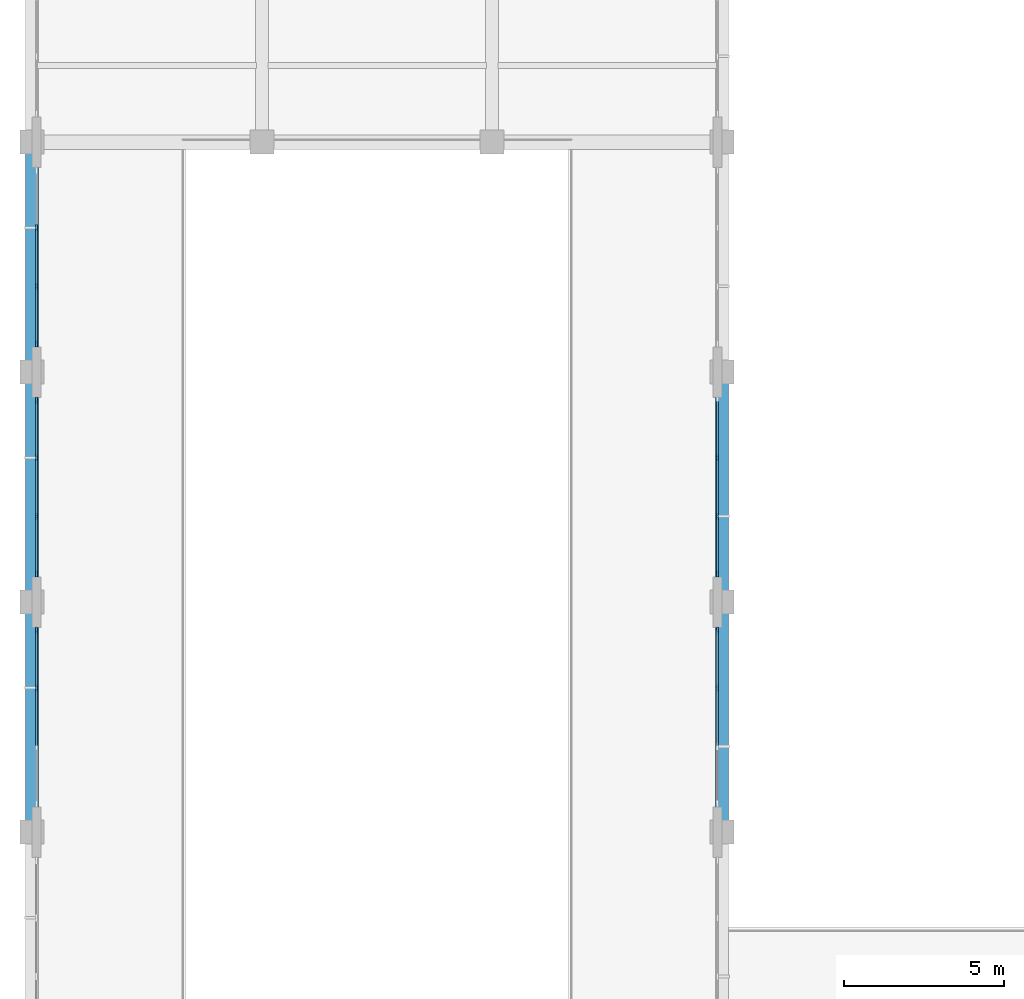
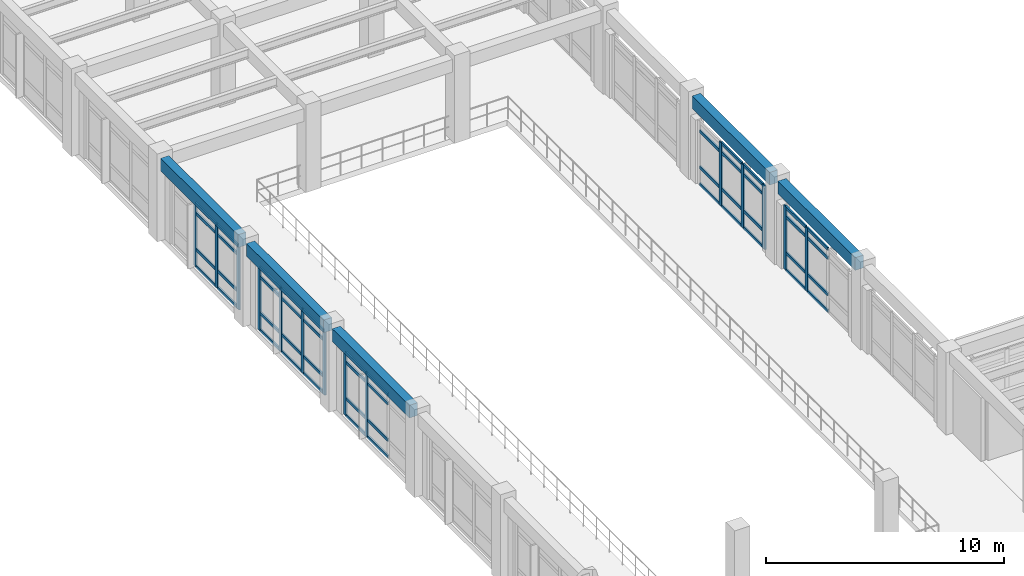
# One storey, part 9 of 64: 61 members, 5 beams, 5 elements without a shape of their own.
"""IFC4 building model written with IfcOpenShell, lengths in metres."""

from ifc_helpers import new_model, si_unit, direction, frame, origin, origin_2d, place, context, subcontext, project, spatial, rectangle, extrude, material, layer, layer_set, material_profile, profile_set, type_object, element, aggregate, save


model = new_model("IFC4")

# Units and contexts
model_context = context("Model", 3, precision=1e-05, world=origin(), true_north=direction((0.0, 1.0)))
body_context = subcontext(model_context, "Body", "Model", "MODEL_VIEW")
ifc_project = project(units=[si_unit("LENGTHUNIT", "METRE"), si_unit("AREAUNIT", "SQUARE_METRE"), si_unit("VOLUMEUNIT", "CUBIC_METRE"), si_unit("PLANEANGLEUNIT", "RADIAN"), si_unit("MASSUNIT", "GRAM", prefix="KILO")], contexts=[model_context])

# Site, building, storey
site_placement = place(None, origin())
site = spatial("IfcSite", under=ifc_project, at=site_placement, CompositionType="ELEMENT")
building_placement = place(site_placement, origin())
building = spatial("IfcBuilding", under=site, at=building_placement, Name="Solenvale Faculty of Natural Sciences", CompositionType="ELEMENT")
storey_placement = place(building_placement, frame((0.0, 0.0, 18.0)))
storey = spatial("IfcBuildingStorey", under=building, at=storey_placement, Name="L04", CompositionType="ELEMENT", Elevation=18.0)

# Beams
ifc_material_1 = material(Name="Concrete 40 MPa", Category="concrete")
ifc_material_profile_1 = material_profile(ifc_material_1, rectangle(XDim=0.39990234375, YDim=0.64990234375, at=origin_2d()), Name="RC-BM-400x650")
ifc_profile_set_1 = profile_set([ifc_material_profile_1], Name="Concrete 40 MPa")
beam_type = type_object("IfcBeamType", Name="BM-RC-400x650", PredefinedType="BEAM", material=ifc_profile_set_1)
beam_1_placement = place(storey_placement, frame((36.0, 43.554931640625, 3.89501953125), z_axis=(0.0, 1.0, 0.0), x_axis=(-1.0, 0.0, 0.0)))
element("IfcBeam", 1, at=beam_1_placement, inside=storey, type_object=beam_type, Name="L04 Y-Girder X36.0 (43.2..50.4)", PredefinedType="BEAM", context=body_context, shape_type="SweptSolid", body=[
    extrude(rectangle(XDim=0.39990234375, YDim=0.64990234375, at=origin_2d()), origin(), (0.0, 0.0, 1.0), 6.489990234375),
])
beam_2_placement = place(storey_placement, frame((36.0, 50.7548828125, 3.89501953125), z_axis=(0.0, 1.0, 0.0), x_axis=(-1.0, 0.0, 0.0)))
element("IfcBeam", 2, at=beam_2_placement, inside=storey, type_object=beam_type, Name="L04 Y-Girder X36.0 (50.4..57.6)", PredefinedType="BEAM", context=body_context, shape_type="SweptSolid", body=[
    extrude(rectangle(XDim=0.39990234375, YDim=0.64990234375, at=origin_2d()), origin(), (0.0, 0.0, 1.0), 6.490234375),
])
for number, where, z_axis, x_axis, name in (
    (3, (36.0, 57.955078125, 3.89501953125), (0.0, 1.0, 0.0), (-1.0, 0.0, 0.0), "L04 Y-Girder X36.0 (57.6..64.8)"),
    (4, (57.60009765625, 43.554931640625, 3.89501953125), (0.0, 1.0, 0.0), (-1.0, 0.0, 0.0), "L04 Y-Girder X57.6 (43.2..50.4)"),
):
    element("IfcBeam", number, at=place(storey_placement, frame(where, z_axis=z_axis, x_axis=x_axis)), inside=storey, type_object=beam_type, Name=name, PredefinedType="BEAM", context=body_context, shape_type="SweptSolid", body=[
        extrude(rectangle(XDim=0.39990234375, YDim=0.64990234375, at=origin_2d()), origin(), (0.0, 0.0, 1.0), 6.489990234375),
    ])
beam_3_placement = place(storey_placement, frame((57.60009765625, 50.7548828125, 3.89501953125), z_axis=(0.0, 1.0, 0.0), x_axis=(-1.0, 0.0, 0.0)))
element("IfcBeam", 5, at=beam_3_placement, inside=storey, type_object=beam_type, Name="L04 Y-Girder X57.6 (50.4..57.6)", PredefinedType="BEAM", context=body_context, shape_type="SweptSolid", body=[
    extrude(rectangle(XDim=0.39990234375, YDim=0.64990234375, at=origin_2d()), origin(), (0.0, 0.0, 1.0), 6.490234375),
])

# Curtain wall, members
ifc_material_2 = material(Name="Anodised bronze aluminium", Category="aluminium")
ifc_layer = layer(ifc_material_2, 0.215087890625)
ifc_layer_set = layer_set([ifc_layer], Name="Anodised bronze aluminium")
curtain_wall_type = type_object("IfcCurtainWallType", Name="CW-ATR-UNIT", PredefinedType="USERDEFINED", material=ifc_layer_set)
curtain_wall_1_placement = place(storey_placement, origin())
curtain_wall_1 = element("IfcCurtainWall", 6, at=curtain_wall_1_placement, inside=storey, type_object=curtain_wall_type, Name="L04 Curtain Wall CW-L04-P1-E1-B2", ObjectType="UNITISED CURTAIN WALL", PredefinedType="USERDEFINED")
ifc_material_profile_2 = material_profile(ifc_material_2, rectangle(XDim=0.074951171875, YDim=0.2099609375, at=origin_2d()), Name="ALU-MUL-75x210")
ifc_profile_set_2 = profile_set([ifc_material_profile_2], Name="Anodised bronze aluminium")
member_type_1 = type_object("IfcMemberType", Name="CWM-ALU-75x210", PredefinedType="MULLION", material=ifc_profile_set_2)
member_1_placement = place(storey_placement, frame((57.45751953125, 47.716552734375, 0.0), z_axis=(0.0, 0.0, 1.0), x_axis=(-1.0, 0.0, 0.0)))
member_1 = element("IfcMember", 7, at=member_1_placement, type_object=member_type_1, Name="CW-01 mullion 3", PredefinedType="MULLION", context=body_context, shape_type="SweptSolid", body=[
    extrude(rectangle(XDim=0.074951171875, YDim=0.2099609375, at=origin_2d()), origin(), (0.0, 0.0, 1.0), 3.260009765625),
])
member_2_placement = place(storey_placement, frame((57.45751953125, 49.512451171875, 0.0), z_axis=(0.0, 0.0, 1.0), x_axis=(-1.0, 0.0, 0.0)))
member_2 = element("IfcMember", 8, at=member_2_placement, type_object=member_type_1, Name="CW-01 mullion 4", PredefinedType="MULLION", context=body_context, shape_type="SweptSolid", body=[
    extrude(rectangle(XDim=0.074951171875, YDim=0.2099609375, at=origin_2d()), origin(), (0.0, 0.0, 1.0), 3.260009765625),
])

curtain_wall_2_placement = place(storey_placement, origin())
curtain_wall_2 = element("IfcCurtainWall", 9, at=curtain_wall_2_placement, inside=storey, type_object=curtain_wall_type, Name="L04 Curtain Wall CW-L04-P1-E1-B3", ObjectType="UNITISED CURTAIN WALL", PredefinedType="USERDEFINED")
member_3_placement = place(storey_placement, frame((57.45751953125, 51.28759765625, 0.0), z_axis=(0.0, 0.0, 1.0), x_axis=(-1.0, 0.0, 0.0)))
member_3 = element("IfcMember", 10, at=member_3_placement, type_object=member_type_1, Name="CW-01 mullion 1", PredefinedType="MULLION", context=body_context, shape_type="SweptSolid", body=[
    extrude(rectangle(XDim=0.074951171875, YDim=0.2099609375, at=origin_2d()), origin(), (0.0, 0.0, 1.0), 3.260009765625),
])
member_4_placement = place(storey_placement, frame((57.45751953125, 53.083251953125, 0.0), z_axis=(0.0, 0.0, 1.0), x_axis=(-1.0, 0.0, 0.0)))
member_4 = element("IfcMember", 11, at=member_4_placement, type_object=member_type_1, Name="CW-01 mullion 2", PredefinedType="MULLION", context=body_context, shape_type="SweptSolid", body=[
    extrude(rectangle(XDim=0.074951171875, YDim=0.2099609375, at=origin_2d()), origin(), (0.0, 0.0, 1.0), 3.260009765625),
])
member_5_placement = place(storey_placement, frame((57.45751953125, 54.916748046875, 0.0), z_axis=(0.0, 0.0, 1.0), x_axis=(-1.0, 0.0, 0.0)))
member_5 = element("IfcMember", 12, at=member_5_placement, type_object=member_type_1, Name="CW-01 mullion 3", PredefinedType="MULLION", context=body_context, shape_type="SweptSolid", body=[
    extrude(rectangle(XDim=0.074951171875, YDim=0.2099609375, at=origin_2d()), origin(), (0.0, 0.0, 1.0), 3.260009765625),
])

curtain_wall_3_placement = place(storey_placement, origin())
curtain_wall_3 = element("IfcCurtainWall", 13, at=curtain_wall_3_placement, inside=storey, type_object=curtain_wall_type, Name="L04 Curtain Wall CW-L04-P1-E3-B5", ObjectType="UNITISED CURTAIN WALL", PredefinedType="USERDEFINED")
member_6_placement = place(storey_placement, frame((36.142578125, 62.11669921875, 0.0), z_axis=(0.0, 0.0, 1.0), x_axis=(1.0, 0.0, 0.0)))
member_6 = element("IfcMember", 14, at=member_6_placement, type_object=member_type_1, Name="CW-01 mullion 2", PredefinedType="MULLION", context=body_context, shape_type="SweptSolid", body=[
    extrude(rectangle(XDim=0.074951171875, YDim=0.2099609375, at=origin_2d()), origin(), (0.0, 0.0, 1.0), 3.260009765625),
])
member_7_placement = place(storey_placement, frame((36.142578125, 60.283447265625, 0.0), z_axis=(0.0, 0.0, 1.0), x_axis=(1.0, 0.0, 0.0)))
member_7 = element("IfcMember", 15, at=member_7_placement, type_object=member_type_1, Name="CW-01 mullion 3", PredefinedType="MULLION", context=body_context, shape_type="SweptSolid", body=[
    extrude(rectangle(XDim=0.074951171875, YDim=0.2099609375, at=origin_2d()), origin(), (0.0, 0.0, 1.0), 3.260009765625),
])
member_8_placement = place(storey_placement, frame((36.142578125, 58.487548828125, 0.0), z_axis=(0.0, 0.0, 1.0), x_axis=(1.0, 0.0, 0.0)))
member_8 = element("IfcMember", 16, at=member_8_placement, type_object=member_type_1, Name="CW-01 mullion 4", PredefinedType="MULLION", context=body_context, shape_type="SweptSolid", body=[
    extrude(rectangle(XDim=0.074951171875, YDim=0.2099609375, at=origin_2d()), origin(), (0.0, 0.0, 1.0), 3.260009765625),
])

curtain_wall_4_placement = place(storey_placement, origin())
curtain_wall_4 = element("IfcCurtainWall", 17, at=curtain_wall_4_placement, inside=storey, type_object=curtain_wall_type, Name="L04 Curtain Wall CW-L04-P1-E3-B6", ObjectType="UNITISED CURTAIN WALL", PredefinedType="USERDEFINED")
member_9_placement = place(storey_placement, frame((36.142578125, 56.71240234375, 0.0), z_axis=(0.0, 0.0, 1.0), x_axis=(1.0, 0.0, 0.0)))
member_9 = element("IfcMember", 18, at=member_9_placement, type_object=member_type_1, Name="CW-01 mullion 1", PredefinedType="MULLION", context=body_context, shape_type="SweptSolid", body=[
    extrude(rectangle(XDim=0.074951171875, YDim=0.2099609375, at=origin_2d()), origin(), (0.0, 0.0, 1.0), 3.260009765625),
])
member_10_placement = place(storey_placement, frame((36.142578125, 54.916748046875, 0.0), z_axis=(0.0, 0.0, 1.0), x_axis=(1.0, 0.0, 0.0)))
member_10 = element("IfcMember", 19, at=member_10_placement, type_object=member_type_1, Name="CW-01 mullion 2", PredefinedType="MULLION", context=body_context, shape_type="SweptSolid", body=[
    extrude(rectangle(XDim=0.074951171875, YDim=0.2099609375, at=origin_2d()), origin(), (0.0, 0.0, 1.0), 3.260009765625),
])
member_11_placement = place(storey_placement, frame((36.142578125, 53.083251953125, 0.0), z_axis=(0.0, 0.0, 1.0), x_axis=(1.0, 0.0, 0.0)))
member_11 = element("IfcMember", 20, at=member_11_placement, type_object=member_type_1, Name="CW-01 mullion 3", PredefinedType="MULLION", context=body_context, shape_type="SweptSolid", body=[
    extrude(rectangle(XDim=0.074951171875, YDim=0.2099609375, at=origin_2d()), origin(), (0.0, 0.0, 1.0), 3.260009765625),
])
member_12_placement = place(storey_placement, frame((36.142578125, 51.28759765625, 0.0), z_axis=(0.0, 0.0, 1.0), x_axis=(1.0, 0.0, 0.0)))
member_12 = element("IfcMember", 21, at=member_12_placement, type_object=member_type_1, Name="CW-01 mullion 4", PredefinedType="MULLION", context=body_context, shape_type="SweptSolid", body=[
    extrude(rectangle(XDim=0.074951171875, YDim=0.2099609375, at=origin_2d()), origin(), (0.0, 0.0, 1.0), 3.260009765625),
])

curtain_wall_5_placement = place(storey_placement, origin())
curtain_wall_5 = element("IfcCurtainWall", 22, at=curtain_wall_5_placement, inside=storey, type_object=curtain_wall_type, Name="L04 Curtain Wall CW-L04-P1-E3-B7", ObjectType="UNITISED CURTAIN WALL", PredefinedType="USERDEFINED")
member_13_placement = place(storey_placement, frame((36.142578125, 49.512451171875, 0.0), z_axis=(0.0, 0.0, 1.0), x_axis=(1.0, 0.0, 0.0)))
member_13 = element("IfcMember", 23, at=member_13_placement, type_object=member_type_1, Name="CW-01 mullion 1", PredefinedType="MULLION", context=body_context, shape_type="SweptSolid", body=[
    extrude(rectangle(XDim=0.074951171875, YDim=0.2099609375, at=origin_2d()), origin(), (0.0, 0.0, 1.0), 3.260009765625),
])
member_14_placement = place(storey_placement, frame((36.142578125, 47.716552734375, 0.0), z_axis=(0.0, 0.0, 1.0), x_axis=(1.0, 0.0, 0.0)))
member_14 = element("IfcMember", 24, at=member_14_placement, type_object=member_type_1, Name="CW-01 mullion 2", PredefinedType="MULLION", context=body_context, shape_type="SweptSolid", body=[
    extrude(rectangle(XDim=0.074951171875, YDim=0.2099609375, at=origin_2d()), origin(), (0.0, 0.0, 1.0), 3.260009765625),
])

# Member
ifc_material_profile_3 = material_profile(ifc_material_2, rectangle(XDim=0.074951171875, YDim=0.155029296875, at=origin_2d()), Name="ALU-TRN-75x155")
ifc_profile_set_3 = profile_set([ifc_material_profile_3], Name="Anodised bronze aluminium")
member_type_2 = type_object("IfcMemberType", Name="CWT-ALU-75x155", PredefinedType="USERDEFINED", material=ifc_profile_set_3)
member_15_placement = place(storey_placement, frame((57.45751953125, 45.9208984375, 0.03759765625), z_axis=(0.0, 1.0, 0.0), x_axis=(-1.0, 0.0, 0.0)))
member_15 = element("IfcMember", 25, at=member_15_placement, type_object=member_type_2, Name="CW-01 transom 2.1", ObjectType="TRANSOM", PredefinedType="USERDEFINED", context=body_context, shape_type="SweptSolid", body=[
    extrude(rectangle(XDim=0.074951171875, YDim=0.155029296875, at=origin_2d()), origin(), (0.0, 0.0, 1.0), 1.75830078125),
])

member_16_placement = place(storey_placement, frame((57.45751953125, 45.9208984375, 0.89990234375), z_axis=(0.0, 1.0, 0.0), x_axis=(-1.0, 0.0, 0.0)))
member_16 = element("IfcMember", 26, at=member_16_placement, type_object=member_type_2, Name="CW-01 transom 2.2", ObjectType="TRANSOM", PredefinedType="USERDEFINED", context=body_context, shape_type="SweptSolid", body=[
    extrude(rectangle(XDim=0.074951171875, YDim=0.155029296875, at=origin_2d()), origin(), (0.0, 0.0, 1.0), 1.75830078125),
])

member_17_placement = place(storey_placement, frame((57.45751953125, 45.9208984375, 2.760009765625), z_axis=(0.0, 1.0, 0.0), x_axis=(-1.0, 0.0, 0.0)))
member_17 = element("IfcMember", 27, at=member_17_placement, type_object=member_type_2, Name="CW-01 transom 2.3", ObjectType="TRANSOM", PredefinedType="USERDEFINED", context=body_context, shape_type="SweptSolid", body=[
    extrude(rectangle(XDim=0.074951171875, YDim=0.155029296875, at=origin_2d()), origin(), (0.0, 0.0, 1.0), 1.75830078125),
])

member_18_placement = place(storey_placement, frame((57.45751953125, 45.9208984375, 3.222412109375), z_axis=(0.0, 1.0, 0.0), x_axis=(-1.0, 0.0, 0.0)))
member_18 = element("IfcMember", 28, at=member_18_placement, type_object=member_type_2, Name="CW-01 transom 2.4", ObjectType="TRANSOM", PredefinedType="USERDEFINED", context=body_context, shape_type="SweptSolid", body=[
    extrude(rectangle(XDim=0.074951171875, YDim=0.155029296875, at=origin_2d()), origin(), (0.0, 0.0, 1.0), 1.75830078125),
])

member_19_placement = place(storey_placement, frame((57.45751953125, 47.754150390625, 0.03759765625), z_axis=(0.0, 1.0, 0.0), x_axis=(-1.0, 0.0, 0.0)))
member_19 = element("IfcMember", 29, at=member_19_placement, type_object=member_type_2, Name="CW-01 transom 3.1", ObjectType="TRANSOM", PredefinedType="USERDEFINED", context=body_context, shape_type="SweptSolid", body=[
    extrude(rectangle(XDim=0.074951171875, YDim=0.155029296875, at=origin_2d()), origin(), (0.0, 0.0, 1.0), 1.720947265625),
])

member_20_placement = place(storey_placement, frame((57.45751953125, 47.754150390625, 0.89990234375), z_axis=(0.0, 1.0, 0.0), x_axis=(-1.0, 0.0, 0.0)))
member_20 = element("IfcMember", 30, at=member_20_placement, type_object=member_type_2, Name="CW-01 transom 3.2", ObjectType="TRANSOM", PredefinedType="USERDEFINED", context=body_context, shape_type="SweptSolid", body=[
    extrude(rectangle(XDim=0.074951171875, YDim=0.155029296875, at=origin_2d()), origin(), (0.0, 0.0, 1.0), 1.720947265625),
])

member_21_placement = place(storey_placement, frame((57.45751953125, 47.754150390625, 2.760009765625), z_axis=(0.0, 1.0, 0.0), x_axis=(-1.0, 0.0, 0.0)))
member_21 = element("IfcMember", 31, at=member_21_placement, type_object=member_type_2, Name="CW-01 transom 3.3", ObjectType="TRANSOM", PredefinedType="USERDEFINED", context=body_context, shape_type="SweptSolid", body=[
    extrude(rectangle(XDim=0.074951171875, YDim=0.155029296875, at=origin_2d()), origin(), (0.0, 0.0, 1.0), 1.720947265625),
])

member_22_placement = place(storey_placement, frame((57.45751953125, 47.754150390625, 3.222412109375), z_axis=(0.0, 1.0, 0.0), x_axis=(-1.0, 0.0, 0.0)))
member_22 = element("IfcMember", 32, at=member_22_placement, type_object=member_type_2, Name="CW-01 transom 3.4", ObjectType="TRANSOM", PredefinedType="USERDEFINED", context=body_context, shape_type="SweptSolid", body=[
    extrude(rectangle(XDim=0.074951171875, YDim=0.155029296875, at=origin_2d()), origin(), (0.0, 0.0, 1.0), 1.720947265625),
])

aggregate(curtain_wall_1, [member_1, member_2, member_15, member_16, member_17, member_18, member_19, member_20, member_21, member_22])

member_23_placement = place(storey_placement, frame((57.45751953125, 51.324951171875, 0.03759765625), z_axis=(0.0, 1.0, 0.0), x_axis=(-1.0, 0.0, 0.0)))
member_23 = element("IfcMember", 33, at=member_23_placement, type_object=member_type_2, Name="CW-01 transom 1.1", ObjectType="TRANSOM", PredefinedType="USERDEFINED", context=body_context, shape_type="SweptSolid", body=[
    extrude(rectangle(XDim=0.074951171875, YDim=0.155029296875, at=origin_2d()), origin(), (0.0, 0.0, 1.0), 1.720947265625),
])

member_24_placement = place(storey_placement, frame((57.45751953125, 51.324951171875, 0.89990234375), z_axis=(0.0, 1.0, 0.0), x_axis=(-1.0, 0.0, 0.0)))
member_24 = element("IfcMember", 34, at=member_24_placement, type_object=member_type_2, Name="CW-01 transom 1.2", ObjectType="TRANSOM", PredefinedType="USERDEFINED", context=body_context, shape_type="SweptSolid", body=[
    extrude(rectangle(XDim=0.074951171875, YDim=0.155029296875, at=origin_2d()), origin(), (0.0, 0.0, 1.0), 1.720947265625),
])

member_25_placement = place(storey_placement, frame((57.45751953125, 51.324951171875, 2.760009765625), z_axis=(0.0, 1.0, 0.0), x_axis=(-1.0, 0.0, 0.0)))
member_25 = element("IfcMember", 35, at=member_25_placement, type_object=member_type_2, Name="CW-01 transom 1.3", ObjectType="TRANSOM", PredefinedType="USERDEFINED", context=body_context, shape_type="SweptSolid", body=[
    extrude(rectangle(XDim=0.074951171875, YDim=0.155029296875, at=origin_2d()), origin(), (0.0, 0.0, 1.0), 1.720947265625),
])

member_26_placement = place(storey_placement, frame((57.45751953125, 51.324951171875, 3.222412109375), z_axis=(0.0, 1.0, 0.0), x_axis=(-1.0, 0.0, 0.0)))
member_26 = element("IfcMember", 36, at=member_26_placement, type_object=member_type_2, Name="CW-01 transom 1.4", ObjectType="TRANSOM", PredefinedType="USERDEFINED", context=body_context, shape_type="SweptSolid", body=[
    extrude(rectangle(XDim=0.074951171875, YDim=0.155029296875, at=origin_2d()), origin(), (0.0, 0.0, 1.0), 1.720947265625),
])

member_27_placement = place(storey_placement, frame((57.45751953125, 53.120849609375, 0.03759765625), z_axis=(0.0, 1.0, 0.0), x_axis=(-1.0, 0.0, 0.0)))
member_27 = element("IfcMember", 37, at=member_27_placement, type_object=member_type_2, Name="CW-01 transom 2.1", ObjectType="TRANSOM", PredefinedType="USERDEFINED", context=body_context, shape_type="SweptSolid", body=[
    extrude(rectangle(XDim=0.074951171875, YDim=0.155029296875, at=origin_2d()), origin(), (0.0, 0.0, 1.0), 1.75830078125),
])

member_28_placement = place(storey_placement, frame((57.45751953125, 53.120849609375, 0.89990234375), z_axis=(0.0, 1.0, 0.0), x_axis=(-1.0, 0.0, 0.0)))
member_28 = element("IfcMember", 38, at=member_28_placement, type_object=member_type_2, Name="CW-01 transom 2.2", ObjectType="TRANSOM", PredefinedType="USERDEFINED", context=body_context, shape_type="SweptSolid", body=[
    extrude(rectangle(XDim=0.074951171875, YDim=0.155029296875, at=origin_2d()), origin(), (0.0, 0.0, 1.0), 1.75830078125),
])

member_29_placement = place(storey_placement, frame((57.45751953125, 53.120849609375, 2.760009765625), z_axis=(0.0, 1.0, 0.0), x_axis=(-1.0, 0.0, 0.0)))
member_29 = element("IfcMember", 39, at=member_29_placement, type_object=member_type_2, Name="CW-01 transom 2.3", ObjectType="TRANSOM", PredefinedType="USERDEFINED", context=body_context, shape_type="SweptSolid", body=[
    extrude(rectangle(XDim=0.074951171875, YDim=0.155029296875, at=origin_2d()), origin(), (0.0, 0.0, 1.0), 1.75830078125),
])

member_30_placement = place(storey_placement, frame((57.45751953125, 53.120849609375, 3.222412109375), z_axis=(0.0, 1.0, 0.0), x_axis=(-1.0, 0.0, 0.0)))
member_30 = element("IfcMember", 40, at=member_30_placement, type_object=member_type_2, Name="CW-01 transom 2.4", ObjectType="TRANSOM", PredefinedType="USERDEFINED", context=body_context, shape_type="SweptSolid", body=[
    extrude(rectangle(XDim=0.074951171875, YDim=0.155029296875, at=origin_2d()), origin(), (0.0, 0.0, 1.0), 1.75830078125),
])

member_31_placement = place(storey_placement, frame((57.45751953125, 54.9541015625, 0.03759765625), z_axis=(0.0, 1.0, 0.0), x_axis=(-1.0, 0.0, 0.0)))
member_31 = element("IfcMember", 41, at=member_31_placement, type_object=member_type_2, Name="CW-01 transom 3.1", ObjectType="TRANSOM", PredefinedType="USERDEFINED", context=body_context, shape_type="SweptSolid", body=[
    extrude(rectangle(XDim=0.074951171875, YDim=0.155029296875, at=origin_2d()), origin(), (0.0, 0.0, 1.0), 1.720947265625),
])

member_32_placement = place(storey_placement, frame((57.45751953125, 54.9541015625, 0.89990234375), z_axis=(0.0, 1.0, 0.0), x_axis=(-1.0, 0.0, 0.0)))
member_32 = element("IfcMember", 42, at=member_32_placement, type_object=member_type_2, Name="CW-01 transom 3.2", ObjectType="TRANSOM", PredefinedType="USERDEFINED", context=body_context, shape_type="SweptSolid", body=[
    extrude(rectangle(XDim=0.074951171875, YDim=0.155029296875, at=origin_2d()), origin(), (0.0, 0.0, 1.0), 1.720947265625),
])

member_33_placement = place(storey_placement, frame((57.45751953125, 54.9541015625, 2.760009765625), z_axis=(0.0, 1.0, 0.0), x_axis=(-1.0, 0.0, 0.0)))
member_33 = element("IfcMember", 43, at=member_33_placement, type_object=member_type_2, Name="CW-01 transom 3.3", ObjectType="TRANSOM", PredefinedType="USERDEFINED", context=body_context, shape_type="SweptSolid", body=[
    extrude(rectangle(XDim=0.074951171875, YDim=0.155029296875, at=origin_2d()), origin(), (0.0, 0.0, 1.0), 1.720947265625),
])

aggregate(curtain_wall_2, [member_3, member_4, member_5, member_23, member_24, member_25, member_26, member_27, member_28, member_29, member_30, member_31, member_32, member_33])

member_34_placement = place(storey_placement, frame((36.142578125, 62.0791015625, 0.03759765625), z_axis=(0.0, -1.0, 0.0), x_axis=(1.0, 0.0, 0.0)))
member_34 = element("IfcMember", 44, at=member_34_placement, type_object=member_type_2, Name="CW-01 transom 2.1", ObjectType="TRANSOM", PredefinedType="USERDEFINED", context=body_context, shape_type="SweptSolid", body=[
    extrude(rectangle(XDim=0.074951171875, YDim=0.155029296875, at=origin_2d()), origin(), (0.0, 0.0, 1.0), 1.75830078125),
])

member_35_placement = place(storey_placement, frame((36.142578125, 62.0791015625, 0.89990234375), z_axis=(0.0, -1.0, 0.0), x_axis=(1.0, 0.0, 0.0)))
member_35 = element("IfcMember", 45, at=member_35_placement, type_object=member_type_2, Name="CW-01 transom 2.2", ObjectType="TRANSOM", PredefinedType="USERDEFINED", context=body_context, shape_type="SweptSolid", body=[
    extrude(rectangle(XDim=0.074951171875, YDim=0.155029296875, at=origin_2d()), origin(), (0.0, 0.0, 1.0), 1.75830078125),
])

member_36_placement = place(storey_placement, frame((36.142578125, 62.0791015625, 2.760009765625), z_axis=(0.0, -1.0, 0.0), x_axis=(1.0, 0.0, 0.0)))
member_36 = element("IfcMember", 46, at=member_36_placement, type_object=member_type_2, Name="CW-01 transom 2.3", ObjectType="TRANSOM", PredefinedType="USERDEFINED", context=body_context, shape_type="SweptSolid", body=[
    extrude(rectangle(XDim=0.074951171875, YDim=0.155029296875, at=origin_2d()), origin(), (0.0, 0.0, 1.0), 1.75830078125),
])

member_37_placement = place(storey_placement, frame((36.142578125, 62.0791015625, 3.222412109375), z_axis=(0.0, -1.0, 0.0), x_axis=(1.0, 0.0, 0.0)))
member_37 = element("IfcMember", 47, at=member_37_placement, type_object=member_type_2, Name="CW-01 transom 2.4", ObjectType="TRANSOM", PredefinedType="USERDEFINED", context=body_context, shape_type="SweptSolid", body=[
    extrude(rectangle(XDim=0.074951171875, YDim=0.155029296875, at=origin_2d()), origin(), (0.0, 0.0, 1.0), 1.75830078125),
])

member_38_placement = place(storey_placement, frame((36.142578125, 60.245849609375, 0.03759765625), z_axis=(0.0, -1.0, 0.0), x_axis=(1.0, 0.0, 0.0)))
member_38 = element("IfcMember", 48, at=member_38_placement, type_object=member_type_2, Name="CW-01 transom 3.1", ObjectType="TRANSOM", PredefinedType="USERDEFINED", context=body_context, shape_type="SweptSolid", body=[
    extrude(rectangle(XDim=0.074951171875, YDim=0.155029296875, at=origin_2d()), origin(), (0.0, 0.0, 1.0), 1.720947265625),
])

member_39_placement = place(storey_placement, frame((36.142578125, 60.245849609375, 0.89990234375), z_axis=(0.0, -1.0, 0.0), x_axis=(1.0, 0.0, 0.0)))
member_39 = element("IfcMember", 49, at=member_39_placement, type_object=member_type_2, Name="CW-01 transom 3.2", ObjectType="TRANSOM", PredefinedType="USERDEFINED", context=body_context, shape_type="SweptSolid", body=[
    extrude(rectangle(XDim=0.074951171875, YDim=0.155029296875, at=origin_2d()), origin(), (0.0, 0.0, 1.0), 1.720947265625),
])

member_40_placement = place(storey_placement, frame((36.142578125, 60.245849609375, 2.760009765625), z_axis=(0.0, -1.0, 0.0), x_axis=(1.0, 0.0, 0.0)))
member_40 = element("IfcMember", 50, at=member_40_placement, type_object=member_type_2, Name="CW-01 transom 3.3", ObjectType="TRANSOM", PredefinedType="USERDEFINED", context=body_context, shape_type="SweptSolid", body=[
    extrude(rectangle(XDim=0.074951171875, YDim=0.155029296875, at=origin_2d()), origin(), (0.0, 0.0, 1.0), 1.720947265625),
])

member_41_placement = place(storey_placement, frame((36.142578125, 60.245849609375, 3.222412109375), z_axis=(0.0, -1.0, 0.0), x_axis=(1.0, 0.0, 0.0)))
member_41 = element("IfcMember", 51, at=member_41_placement, type_object=member_type_2, Name="CW-01 transom 3.4", ObjectType="TRANSOM", PredefinedType="USERDEFINED", context=body_context, shape_type="SweptSolid", body=[
    extrude(rectangle(XDim=0.074951171875, YDim=0.155029296875, at=origin_2d()), origin(), (0.0, 0.0, 1.0), 1.720947265625),
])

aggregate(curtain_wall_3, [member_6, member_7, member_8, member_34, member_35, member_36, member_37, member_38, member_39, member_40, member_41])

member_42_placement = place(storey_placement, frame((36.142578125, 56.675048828125, 0.03759765625), z_axis=(0.0, -1.0, 0.0), x_axis=(1.0, 0.0, 0.0)))
member_42 = element("IfcMember", 52, at=member_42_placement, type_object=member_type_2, Name="CW-01 transom 1.1", ObjectType="TRANSOM", PredefinedType="USERDEFINED", context=body_context, shape_type="SweptSolid", body=[
    extrude(rectangle(XDim=0.074951171875, YDim=0.155029296875, at=origin_2d()), origin(), (0.0, 0.0, 1.0), 1.720947265625),
])

member_43_placement = place(storey_placement, frame((36.142578125, 56.675048828125, 0.89990234375), z_axis=(0.0, -1.0, 0.0), x_axis=(1.0, 0.0, 0.0)))
member_43 = element("IfcMember", 53, at=member_43_placement, type_object=member_type_2, Name="CW-01 transom 1.2", ObjectType="TRANSOM", PredefinedType="USERDEFINED", context=body_context, shape_type="SweptSolid", body=[
    extrude(rectangle(XDim=0.074951171875, YDim=0.155029296875, at=origin_2d()), origin(), (0.0, 0.0, 1.0), 1.720947265625),
])

member_44_placement = place(storey_placement, frame((36.142578125, 56.675048828125, 2.760009765625), z_axis=(0.0, -1.0, 0.0), x_axis=(1.0, 0.0, 0.0)))
member_44 = element("IfcMember", 54, at=member_44_placement, type_object=member_type_2, Name="CW-01 transom 1.3", ObjectType="TRANSOM", PredefinedType="USERDEFINED", context=body_context, shape_type="SweptSolid", body=[
    extrude(rectangle(XDim=0.074951171875, YDim=0.155029296875, at=origin_2d()), origin(), (0.0, 0.0, 1.0), 1.720947265625),
])

member_45_placement = place(storey_placement, frame((36.142578125, 56.675048828125, 3.222412109375), z_axis=(0.0, -1.0, 0.0), x_axis=(1.0, 0.0, 0.0)))
member_45 = element("IfcMember", 55, at=member_45_placement, type_object=member_type_2, Name="CW-01 transom 1.4", ObjectType="TRANSOM", PredefinedType="USERDEFINED", context=body_context, shape_type="SweptSolid", body=[
    extrude(rectangle(XDim=0.074951171875, YDim=0.155029296875, at=origin_2d()), origin(), (0.0, 0.0, 1.0), 1.720947265625),
])

member_46_placement = place(storey_placement, frame((36.142578125, 54.879150390625, 0.03759765625), z_axis=(0.0, -1.0, 0.0), x_axis=(1.0, 0.0, 0.0)))
member_46 = element("IfcMember", 56, at=member_46_placement, type_object=member_type_2, Name="CW-01 transom 2.1", ObjectType="TRANSOM", PredefinedType="USERDEFINED", context=body_context, shape_type="SweptSolid", body=[
    extrude(rectangle(XDim=0.074951171875, YDim=0.155029296875, at=origin_2d()), origin(), (0.0, 0.0, 1.0), 1.75830078125),
])

member_47_placement = place(storey_placement, frame((36.142578125, 54.879150390625, 0.89990234375), z_axis=(0.0, -1.0, 0.0), x_axis=(1.0, 0.0, 0.0)))
member_47 = element("IfcMember", 57, at=member_47_placement, type_object=member_type_2, Name="CW-01 transom 2.2", ObjectType="TRANSOM", PredefinedType="USERDEFINED", context=body_context, shape_type="SweptSolid", body=[
    extrude(rectangle(XDim=0.074951171875, YDim=0.155029296875, at=origin_2d()), origin(), (0.0, 0.0, 1.0), 1.75830078125),
])

member_48_placement = place(storey_placement, frame((36.142578125, 54.879150390625, 2.760009765625), z_axis=(0.0, -1.0, 0.0), x_axis=(1.0, 0.0, 0.0)))
member_48 = element("IfcMember", 58, at=member_48_placement, type_object=member_type_2, Name="CW-01 transom 2.3", ObjectType="TRANSOM", PredefinedType="USERDEFINED", context=body_context, shape_type="SweptSolid", body=[
    extrude(rectangle(XDim=0.074951171875, YDim=0.155029296875, at=origin_2d()), origin(), (0.0, 0.0, 1.0), 1.75830078125),
])

member_49_placement = place(storey_placement, frame((36.142578125, 54.879150390625, 3.222412109375), z_axis=(0.0, -1.0, 0.0), x_axis=(1.0, 0.0, 0.0)))
member_49 = element("IfcMember", 59, at=member_49_placement, type_object=member_type_2, Name="CW-01 transom 2.4", ObjectType="TRANSOM", PredefinedType="USERDEFINED", context=body_context, shape_type="SweptSolid", body=[
    extrude(rectangle(XDim=0.074951171875, YDim=0.155029296875, at=origin_2d()), origin(), (0.0, 0.0, 1.0), 1.75830078125),
])

member_50_placement = place(storey_placement, frame((36.142578125, 53.0458984375, 0.03759765625), z_axis=(0.0, -1.0, 0.0), x_axis=(1.0, 0.0, 0.0)))
member_50 = element("IfcMember", 60, at=member_50_placement, type_object=member_type_2, Name="CW-01 transom 3.1", ObjectType="TRANSOM", PredefinedType="USERDEFINED", context=body_context, shape_type="SweptSolid", body=[
    extrude(rectangle(XDim=0.074951171875, YDim=0.155029296875, at=origin_2d()), origin(), (0.0, 0.0, 1.0), 1.720947265625),
])

member_51_placement = place(storey_placement, frame((36.142578125, 53.0458984375, 0.89990234375), z_axis=(0.0, -1.0, 0.0), x_axis=(1.0, 0.0, 0.0)))
member_51 = element("IfcMember", 61, at=member_51_placement, type_object=member_type_2, Name="CW-01 transom 3.2", ObjectType="TRANSOM", PredefinedType="USERDEFINED", context=body_context, shape_type="SweptSolid", body=[
    extrude(rectangle(XDim=0.074951171875, YDim=0.155029296875, at=origin_2d()), origin(), (0.0, 0.0, 1.0), 1.720947265625),
])

member_52_placement = place(storey_placement, frame((36.142578125, 53.0458984375, 2.760009765625), z_axis=(0.0, -1.0, 0.0), x_axis=(1.0, 0.0, 0.0)))
member_52 = element("IfcMember", 62, at=member_52_placement, type_object=member_type_2, Name="CW-01 transom 3.3", ObjectType="TRANSOM", PredefinedType="USERDEFINED", context=body_context, shape_type="SweptSolid", body=[
    extrude(rectangle(XDim=0.074951171875, YDim=0.155029296875, at=origin_2d()), origin(), (0.0, 0.0, 1.0), 1.720947265625),
])

member_53_placement = place(storey_placement, frame((36.142578125, 53.0458984375, 3.222412109375), z_axis=(0.0, -1.0, 0.0), x_axis=(1.0, 0.0, 0.0)))
member_53 = element("IfcMember", 63, at=member_53_placement, type_object=member_type_2, Name="CW-01 transom 3.4", ObjectType="TRANSOM", PredefinedType="USERDEFINED", context=body_context, shape_type="SweptSolid", body=[
    extrude(rectangle(XDim=0.074951171875, YDim=0.155029296875, at=origin_2d()), origin(), (0.0, 0.0, 1.0), 1.720947265625),
])

aggregate(curtain_wall_4, [member_9, member_10, member_11, member_12, member_42, member_43, member_44, member_45, member_46, member_47, member_48, member_49, member_50, member_51, member_52, member_53])

member_54_placement = place(storey_placement, frame((36.142578125, 49.47509765625, 0.03759765625), z_axis=(0.0, -1.0, 0.0), x_axis=(1.0, 0.0, 0.0)))
member_54 = element("IfcMember", 64, at=member_54_placement, type_object=member_type_2, Name="CW-01 transom 1.1", ObjectType="TRANSOM", PredefinedType="USERDEFINED", context=body_context, shape_type="SweptSolid", body=[
    extrude(rectangle(XDim=0.074951171875, YDim=0.155029296875, at=origin_2d()), origin(), (0.0, 0.0, 1.0), 1.720947265625),
])

member_55_placement = place(storey_placement, frame((36.142578125, 49.47509765625, 0.89990234375), z_axis=(0.0, -1.0, 0.0), x_axis=(1.0, 0.0, 0.0)))
member_55 = element("IfcMember", 65, at=member_55_placement, type_object=member_type_2, Name="CW-01 transom 1.2", ObjectType="TRANSOM", PredefinedType="USERDEFINED", context=body_context, shape_type="SweptSolid", body=[
    extrude(rectangle(XDim=0.074951171875, YDim=0.155029296875, at=origin_2d()), origin(), (0.0, 0.0, 1.0), 1.720947265625),
])

member_56_placement = place(storey_placement, frame((36.142578125, 49.47509765625, 2.760009765625), z_axis=(0.0, -1.0, 0.0), x_axis=(1.0, 0.0, 0.0)))
member_56 = element("IfcMember", 66, at=member_56_placement, type_object=member_type_2, Name="CW-01 transom 1.3", ObjectType="TRANSOM", PredefinedType="USERDEFINED", context=body_context, shape_type="SweptSolid", body=[
    extrude(rectangle(XDim=0.074951171875, YDim=0.155029296875, at=origin_2d()), origin(), (0.0, 0.0, 1.0), 1.720947265625),
])

member_57_placement = place(storey_placement, frame((36.142578125, 49.47509765625, 3.222412109375), z_axis=(0.0, -1.0, 0.0), x_axis=(1.0, 0.0, 0.0)))
member_57 = element("IfcMember", 67, at=member_57_placement, type_object=member_type_2, Name="CW-01 transom 1.4", ObjectType="TRANSOM", PredefinedType="USERDEFINED", context=body_context, shape_type="SweptSolid", body=[
    extrude(rectangle(XDim=0.074951171875, YDim=0.155029296875, at=origin_2d()), origin(), (0.0, 0.0, 1.0), 1.720947265625),
])

member_58_placement = place(storey_placement, frame((36.142578125, 47.67919921875, 0.03759765625), z_axis=(0.0, -1.0, 0.0), x_axis=(1.0, 0.0, 0.0)))
member_58 = element("IfcMember", 68, at=member_58_placement, type_object=member_type_2, Name="CW-01 transom 2.1", ObjectType="TRANSOM", PredefinedType="USERDEFINED", context=body_context, shape_type="SweptSolid", body=[
    extrude(rectangle(XDim=0.074951171875, YDim=0.155029296875, at=origin_2d()), origin(), (0.0, 0.0, 1.0), 1.75830078125),
])

member_59_placement = place(storey_placement, frame((36.142578125, 47.67919921875, 0.89990234375), z_axis=(0.0, -1.0, 0.0), x_axis=(1.0, 0.0, 0.0)))
member_59 = element("IfcMember", 69, at=member_59_placement, type_object=member_type_2, Name="CW-01 transom 2.2", ObjectType="TRANSOM", PredefinedType="USERDEFINED", context=body_context, shape_type="SweptSolid", body=[
    extrude(rectangle(XDim=0.074951171875, YDim=0.155029296875, at=origin_2d()), origin(), (0.0, 0.0, 1.0), 1.75830078125),
])

member_60_placement = place(storey_placement, frame((36.142578125, 47.67919921875, 2.760009765625), z_axis=(0.0, -1.0, 0.0), x_axis=(1.0, 0.0, 0.0)))
member_60 = element("IfcMember", 70, at=member_60_placement, type_object=member_type_2, Name="CW-01 transom 2.3", ObjectType="TRANSOM", PredefinedType="USERDEFINED", context=body_context, shape_type="SweptSolid", body=[
    extrude(rectangle(XDim=0.074951171875, YDim=0.155029296875, at=origin_2d()), origin(), (0.0, 0.0, 1.0), 1.75830078125),
])

member_61_placement = place(storey_placement, frame((36.142578125, 47.67919921875, 3.222412109375), z_axis=(0.0, -1.0, 0.0), x_axis=(1.0, 0.0, 0.0)))
member_61 = element("IfcMember", 71, at=member_61_placement, type_object=member_type_2, Name="CW-01 transom 2.4", ObjectType="TRANSOM", PredefinedType="USERDEFINED", context=body_context, shape_type="SweptSolid", body=[
    extrude(rectangle(XDim=0.074951171875, YDim=0.155029296875, at=origin_2d()), origin(), (0.0, 0.0, 1.0), 1.75830078125),
])

aggregate(curtain_wall_5, [member_13, member_14, member_54, member_55, member_56, member_57, member_58, member_59, member_60, member_61])

save(model, "model.ifc")
